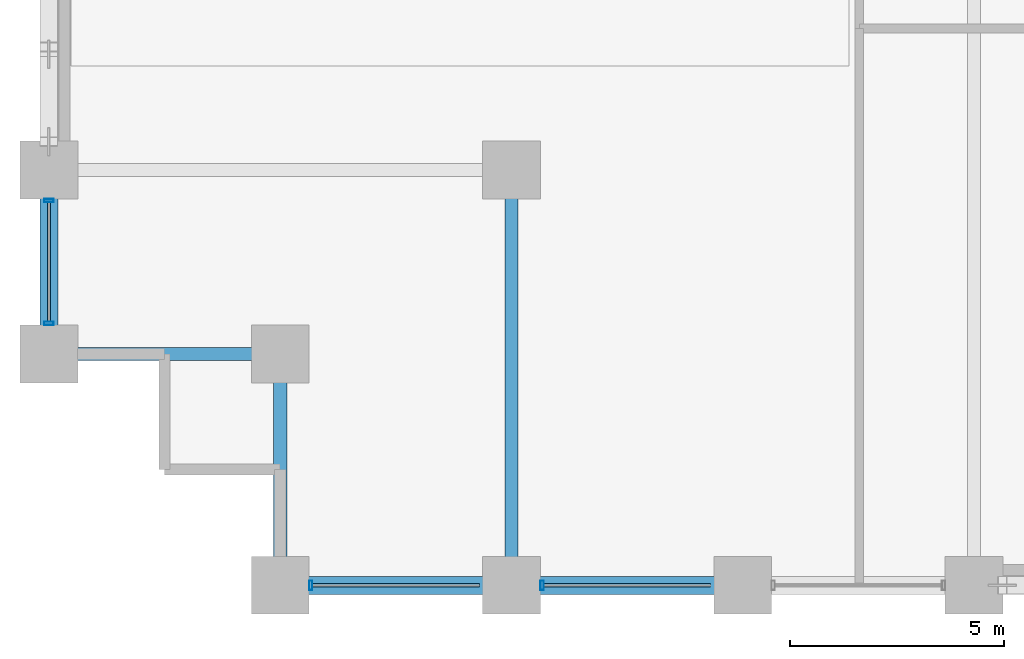
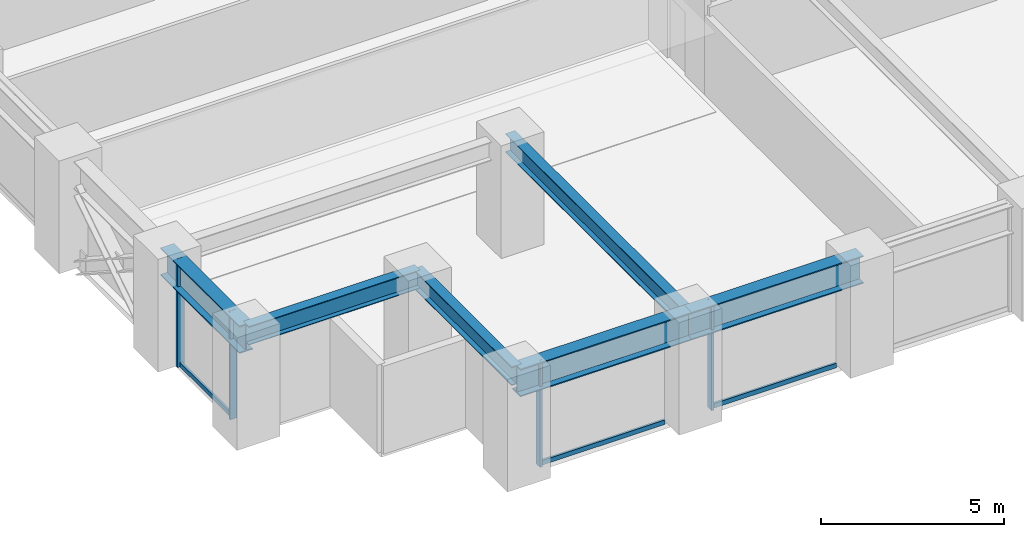
# One storey, part 2 of 25: 7 members, 6 beams, 2 elements without a shape of their own.
"""IFC4 building model written with IfcOpenShell, lengths in metres."""

from ifc_helpers import new_model, si_unit, direction, frame, origin, origin_2d, place, context, subcontext, project, spatial, hollow_rectangle, i_section, extrude, material, layer, layer_set, material_profile, profile_set, type_object, element, aggregate, save


model = new_model("IFC4")

# Units and contexts
model_context = context("Model", 3, precision=1e-05, world=origin(), true_north=direction((0.0, 1.0)))
body_context = subcontext(model_context, "Body", "Model", "MODEL_VIEW")
ifc_project = project(units=[si_unit("LENGTHUNIT", "METRE"), si_unit("AREAUNIT", "SQUARE_METRE"), si_unit("VOLUMEUNIT", "CUBIC_METRE"), si_unit("PLANEANGLEUNIT", "RADIAN"), si_unit("MASSUNIT", "GRAM", prefix="KILO")], contexts=[model_context])

# Site, building, storey
site_placement = place(None, origin())
site = spatial("IfcSite", under=ifc_project, at=site_placement, CompositionType="ELEMENT")
building_placement = place(site_placement, origin())
building = spatial("IfcBuilding", under=site, at=building_placement, Name="Surkhivell Harbour Commons", CompositionType="ELEMENT")
storey_placement = place(building_placement, frame((0.0, 0.0, 37.5)))
storey = spatial("IfcBuildingStorey", under=building, at=storey_placement, Name="L09", CompositionType="ELEMENT", Elevation=37.5)

# Beams
ifc_material_1 = material(Name="Steel S355", Category="steel")
ifc_material_profile_1 = material_profile(ifc_material_1, i_section(OverallWidth=0.306884765625, OverallDepth=0.6201171875, WebThickness=0.01416015625, FlangeThickness=0.023681640625, at=origin_2d()), Name="UB610x305x179")
ifc_profile_set_1 = profile_set([ifc_material_profile_1], Name="Steel S355")
beam_type_1 = type_object("IfcBeamType", Name="BM-GRD-610A", PredefinedType="BEAM", material=ifc_profile_set_1)
for number, where, z_axis, x_axis, name in (
    (1, (-32.39990234375, -20.5, 3.260009765625), (1.0, 0.0, 0.0), (0.0, 1.0, 0.0), "L09 Floor Girder (-32.4,-20.5)"),
    (2, (-27.0, -25.89990234375, 3.260009765625), (0.0, 1.0, 0.0), (-1.0, 0.0, 0.0), "L09 Floor Girder (-27.0,-25.9)"),
):
    element("IfcBeam", number, at=place(storey_placement, frame(where, z_axis=z_axis, x_axis=x_axis)), inside=storey, type_object=beam_type_1, Name=name, PredefinedType="BEAM", context=body_context, shape_type="SweptSolid", body=[
        extrude(i_section(OverallWidth=0.306884765625, OverallDepth=0.6201171875, WebThickness=0.01416015625, FlangeThickness=0.023681640625, at=origin_2d()), origin(), (0.0, 0.0, 1.0), 5.39990234375),
    ])
beam_1_placement = place(storey_placement, frame((-21.60009765625, -25.89990234375, 3.260009765625), z_axis=(0.0, 1.0, 0.0), x_axis=(-1.0, 0.0, 0.0)))
element("IfcBeam", 3, at=beam_1_placement, inside=storey, type_object=beam_type_1, Name="L09 Floor Girder (-21.6,-25.9)", PredefinedType="BEAM", context=body_context, shape_type="SweptSolid", body=[
    extrude(i_section(OverallWidth=0.306884765625, OverallDepth=0.6201171875, WebThickness=0.01416015625, FlangeThickness=0.023681640625, at=origin_2d()), origin(), (0.0, 0.0, 1.0), 9.699951171875),
])
ifc_material_2 = material(Name="Steel S460", Category="steel")
ifc_material_profile_2 = material_profile(ifc_material_2, i_section(OverallWidth=0.419921875, OverallDepth=0.9208984375, WebThickness=0.021484375, FlangeThickness=0.03662109375, at=origin_2d()), Name="UB914x419x388")
ifc_profile_set_2 = profile_set([ifc_material_profile_2], Name="Steel S460")
beam_type_2 = type_object("IfcBeamType", Name="BM-SPN-914A", PredefinedType="SPANDREL", material=ifc_profile_set_2)
beam_2_placement = place(storey_placement, frame((-32.39990234375, -20.5, 3.109619140625), z_axis=(0.0, 1.0, 0.0), x_axis=(-1.0, 0.0, 0.0)))
element("IfcBeam", 4, at=beam_2_placement, inside=storey, type_object=beam_type_2, Name="L09 Tube Spandrel (-32.4,-20.5)", PredefinedType="SPANDREL", context=body_context, shape_type="SweptSolid", body=[
    extrude(i_section(OverallWidth=0.419921875, OverallDepth=0.9208984375, WebThickness=0.021484375, FlangeThickness=0.03662109375, at=origin_2d()), origin(), (0.0, 0.0, 1.0), 4.300048828125),
])
beam_3_placement = place(storey_placement, frame((-27.0, -25.89990234375, 3.109619140625), z_axis=(1.0, 0.0, 0.0), x_axis=(0.0, 1.0, 0.0)))
element("IfcBeam", 5, at=beam_3_placement, inside=storey, type_object=beam_type_2, Name="L09 Tube Spandrel (-27.0,-25.9)", PredefinedType="SPANDREL", context=body_context, shape_type="SweptSolid", body=[
    extrude(i_section(OverallWidth=0.419921875, OverallDepth=0.9208984375, WebThickness=0.021484375, FlangeThickness=0.03662109375, at=origin_2d()), origin(), (0.0, 0.0, 1.0), 5.39990234375),
])
beam_4_placement = place(storey_placement, frame((-21.60009765625, -25.89990234375, 3.109619140625), z_axis=(1.0, 0.0, 0.0), x_axis=(0.0, 1.0, 0.0)))
element("IfcBeam", 6, at=beam_4_placement, inside=storey, type_object=beam_type_2, Name="L09 Tube Spandrel (-21.6,-25.9)", PredefinedType="SPANDREL", context=body_context, shape_type="SweptSolid", body=[
    extrude(i_section(OverallWidth=0.419921875, OverallDepth=0.9208984375, WebThickness=0.021484375, FlangeThickness=0.03662109375, at=origin_2d()), origin(), (0.0, 0.0, 1.0), 5.400146484375),
])

# Curtain wall, members
ifc_material_3 = material(Name="Anodised pale-metal aluminium and insulated glazing", Category="aluminium")
ifc_layer = layer(ifc_material_3, 0.219970703125)
ifc_layer_set = layer_set([ifc_layer], Name="Anodised pale-metal aluminium and insulated glazing")
curtain_wall_type = type_object("IfcCurtainWallType", Name="CW-SYS-Z1", PredefinedType="NOTDEFINED", material=ifc_layer_set)
curtain_wall_1_placement = place(storey_placement, origin())
curtain_wall_1 = element("IfcCurtainWall", 7, at=curtain_wall_1_placement, inside=storey, type_object=curtain_wall_type, Name="L09 Curtain Wall CW-L09-E00S1", PredefinedType="NOTDEFINED")
ifc_material_4 = material(Name="Anodised pale-metal aluminium alloy 6063-T6", Category="aluminium")
ifc_material_profile_3 = material_profile(ifc_material_4, hollow_rectangle(XDim=0.074951171875, YDim=0.219970703125, WallThickness=0.00390625, at=origin_2d()), Name="ALU-MULL-75x220")
ifc_profile_set_3 = profile_set([ifc_material_profile_3], Name="Anodised pale-metal aluminium alloy 6063-T6")
member_type_1 = type_object("IfcMemberType", Name="CWM-220", PredefinedType="MULLION", material=ifc_profile_set_3)
member_1_placement = place(storey_placement, frame((-26.285400390625, -25.89990234375, 0.0), z_axis=(0.0, 0.0, 1.0), x_axis=(1.0, 0.0, 0.0)))
member_1 = element("IfcMember", 8, at=member_1_placement, type_object=member_type_1, Name="CW-Z1 mullion 1", PredefinedType="MULLION", context=body_context, shape_type="SweptSolid", body=[
    extrude(hollow_rectangle(XDim=0.074951171875, YDim=0.219970703125, WallThickness=0.00390625, at=origin_2d()), origin(), (0.0, 0.0, 1.0), 3.570068359375),
])
member_2_placement = place(storey_placement, frame((-20.885498046875, -25.89990234375, 0.0), z_axis=(0.0, 0.0, 1.0), x_axis=(1.0, 0.0, 0.0)))
member_2 = element("IfcMember", 9, at=member_2_placement, type_object=member_type_1, Name="CW-Z1 mullion 2", PredefinedType="MULLION", context=body_context, shape_type="SweptSolid", body=[
    extrude(hollow_rectangle(XDim=0.074951171875, YDim=0.219970703125, WallThickness=0.00390625, at=origin_2d()), origin(), (0.0, 0.0, 1.0), 3.570068359375),
])

curtain_wall_2_placement = place(storey_placement, origin())
curtain_wall_2 = element("IfcCurtainWall", 10, at=curtain_wall_2_placement, inside=storey, type_object=curtain_wall_type, Name="L09 Curtain Wall CW-L09-E12S2", PredefinedType="NOTDEFINED")
member_3_placement = place(storey_placement, frame((-32.39990234375, -16.91455078125, 0.0), z_axis=(0.0, 0.0, 1.0), x_axis=(0.0, -1.0, 0.0)))
member_3 = element("IfcMember", 11, at=member_3_placement, type_object=member_type_1, Name="CW-Z1 mullion 1", PredefinedType="MULLION", context=body_context, shape_type="SweptSolid", body=[
    extrude(hollow_rectangle(XDim=0.074951171875, YDim=0.219970703125, WallThickness=0.00390625, at=origin_2d()), origin(), (0.0, 0.0, 1.0), 3.570068359375),
])
member_4_placement = place(storey_placement, frame((-32.39990234375, -19.785400390625, 0.0), z_axis=(0.0, 0.0, 1.0), x_axis=(0.0, -1.0, 0.0)))
member_4 = element("IfcMember", 12, at=member_4_placement, type_object=member_type_1, Name="CW-Z1 mullion 2", PredefinedType="MULLION", context=body_context, shape_type="SweptSolid", body=[
    extrude(hollow_rectangle(XDim=0.074951171875, YDim=0.219970703125, WallThickness=0.00390625, at=origin_2d()), origin(), (0.0, 0.0, 1.0), 3.570068359375),
])

# Member
ifc_material_profile_4 = material_profile(ifc_material_4, hollow_rectangle(XDim=0.074951171875, YDim=0.14990234375, WallThickness=0.00341796875, at=origin_2d()), Name="ALU-TRAN-75x150")
ifc_profile_set_4 = profile_set([ifc_material_profile_4], Name="Anodised pale-metal aluminium alloy 6063-T6")
member_type_2 = type_object("IfcMemberType", Name="CWT-150", PredefinedType="USERDEFINED", material=ifc_profile_set_4)
member_5_placement = place(storey_placement, frame((-26.248046875, -25.89990234375, 0.074951171875), z_axis=(1.0, 0.0, 0.0), x_axis=(0.0, 1.0, 0.0)))
member_5 = element("IfcMember", 13, at=member_5_placement, type_object=member_type_2, Name="CW-Z1 transom 1.1", ObjectType="TRANSOM", PredefinedType="USERDEFINED", context=body_context, shape_type="SweptSolid", body=[
    extrude(hollow_rectangle(XDim=0.074951171875, YDim=0.14990234375, WallThickness=0.00341796875, at=origin_2d()), origin(), (0.0, 0.0, 1.0), 3.89599609375),
])

member_6_placement = place(storey_placement, frame((-20.847900390625, -25.89990234375, 0.074951171875), z_axis=(1.0, 0.0, 0.0), x_axis=(0.0, 1.0, 0.0)))
member_6 = element("IfcMember", 14, at=member_6_placement, type_object=member_type_2, Name="CW-Z1 transom 2.1", ObjectType="TRANSOM", PredefinedType="USERDEFINED", context=body_context, shape_type="SweptSolid", body=[
    extrude(hollow_rectangle(XDim=0.074951171875, YDim=0.14990234375, WallThickness=0.00341796875, at=origin_2d()), origin(), (0.0, 0.0, 1.0), 3.89599609375),
])

aggregate(curtain_wall_1, [member_1, member_5, member_2, member_6])

member_7_placement = place(storey_placement, frame((-32.39990234375, -16.951904296875, 0.074951171875), z_axis=(0.0, -1.0, 0.0), x_axis=(1.0, 0.0, 0.0)))
member_7 = element("IfcMember", 15, at=member_7_placement, type_object=member_type_2, Name="CW-Z1 transom 1.1", ObjectType="TRANSOM", PredefinedType="USERDEFINED", context=body_context, shape_type="SweptSolid", body=[
    extrude(hollow_rectangle(XDim=0.074951171875, YDim=0.14990234375, WallThickness=0.00341796875, at=origin_2d()), origin(), (0.0, 0.0, 1.0), 2.796142578125),
])

aggregate(curtain_wall_2, [member_3, member_4, member_7])

save(model, "model.ifc")
